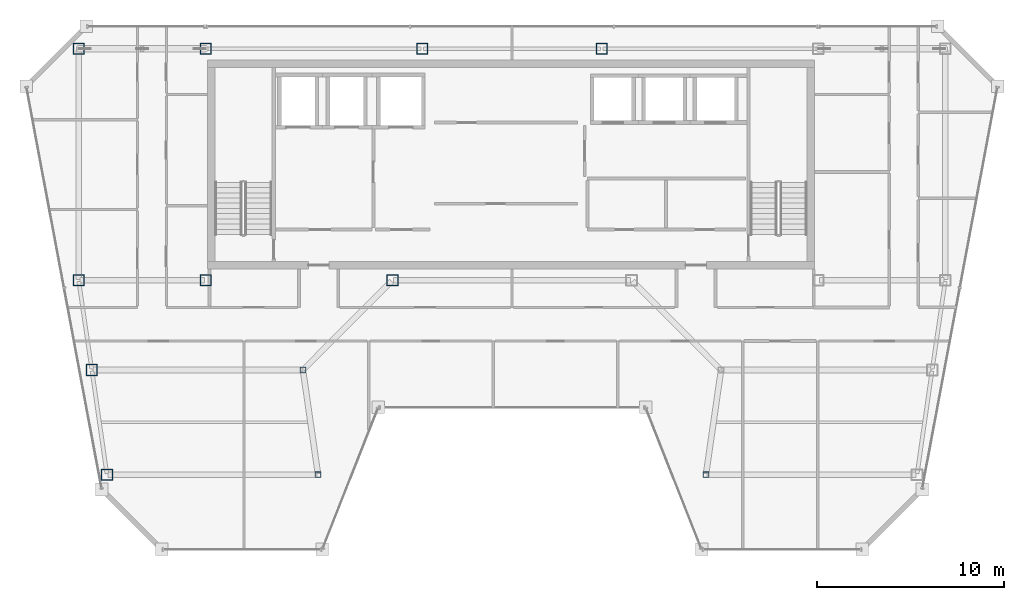
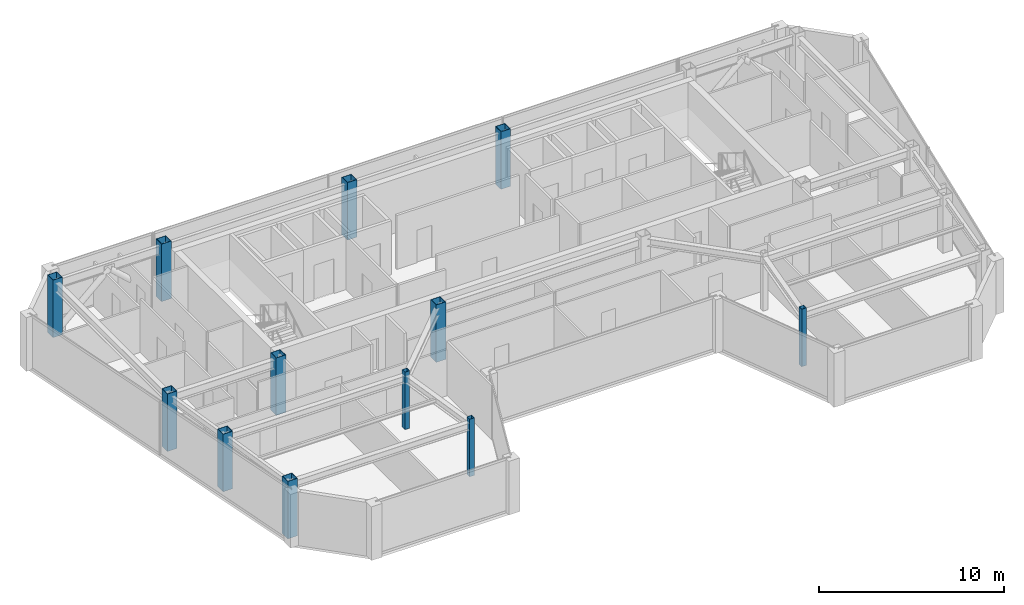
# One storey, part 1 of 23: 12 columns.
"""IFC4 building model written with IfcOpenShell, lengths in metres."""

from ifc_helpers import new_model, si_unit, direction, frame, origin, origin_2d, place, context, subcontext, project, spatial, hollow_rectangle, extrude, material, material_profile, profile_set, type_object, element, save


model = new_model("IFC4")

# Units and contexts
model_context = context("Model", 3, precision=1e-05, world=origin(), true_north=direction((0.0, 1.0)))
body_context = subcontext(model_context, "Body", "Model", "MODEL_VIEW")
ifc_project = project(units=[si_unit("LENGTHUNIT", "METRE"), si_unit("AREAUNIT", "SQUARE_METRE"), si_unit("VOLUMEUNIT", "CUBIC_METRE"), si_unit("PLANEANGLEUNIT", "RADIAN"), si_unit("MASSUNIT", "GRAM", prefix="KILO")], contexts=[model_context])

# Site, building, storey
site_placement = place(None, origin())
site = spatial("IfcSite", under=ifc_project, at=site_placement, CompositionType="ELEMENT")
building_placement = place(site_placement, origin())
building = spatial("IfcBuilding", under=site, at=building_placement, Name="Saevonmaru Cultural Tower", CompositionType="ELEMENT")
storey_placement = place(building_placement, frame((0.0, 0.0, 280.0)))
storey = spatial("IfcBuildingStorey", under=building, at=storey_placement, Name="L66", CompositionType="ELEMENT", Elevation=280.0)

# Columns
ifc_material = material(Name="Steel SM355", Category="steel")
ifc_material_profile_1 = material_profile(ifc_material, hollow_rectangle(XDim=0.60009765625, YDim=0.60009765625, WallThickness=0.028076171875, at=origin_2d()), Name="BOX-600x600x28")
ifc_profile_set_1 = profile_set([ifc_material_profile_1], Name="Steel SM355")
column_type_1 = type_object("IfcColumnType", Name="COL-BOX-600", PredefinedType="COLUMN", material=ifc_profile_set_1)
for number, where, z_axis, x_axis, name in (
    (1, (6.800048828125, 54.800048828125, 0.0), (0.0, 0.0, 1.0), (1.0, 0.0, 0.0), "L66 Column TC-N1N"),
    (2, (13.60009765625, 54.800048828125, 0.0), (0.0, 0.0, 1.0), (1.0, 0.0, 0.0), "L66 Column TC-N2N"),
    (3, (25.199951171875, 54.800048828125, 0.0), (0.0, 0.0, 1.0), (1.0, 0.0, 0.0), "L66 Column TC-N3N"),
    (4, (34.800048828125, 54.800048828125, 0.0), (0.0, 0.0, 1.0), (1.0, 0.0, 0.0), "L66 Column TC-N4N"),
    (5, (6.800048828125, 42.39990234375, 0.0), (0.0, 0.0, 1.0), (1.0, 0.0, 0.0), "L66 Column TC-S1C"),
    (6, (13.60009765625, 42.39990234375, 0.0), (0.0, 0.0, 1.0), (1.0, 0.0, 0.0), "L66 Column TC-S2C"),
    (7, (23.60009765625, 42.39990234375, 0.0), (0.0, 0.0, 1.0), (1.0, 0.0, 0.0), "L66 Column TC-S3C"),
    (8, (8.31689453125, 32.0, 0.0), (0.0, 0.0, 1.0), (1.0, 0.0, 0.0), "L66 Column TC-WO-Y320"),
    (9, (7.508056640625, 37.60009765625, 0.0), (0.0, 0.0, 1.0), (1.0, 0.0, 0.0), "L66 Column TC-WO-Y376"),
):
    element("IfcColumn", number, at=place(storey_placement, frame(where, z_axis=z_axis, x_axis=x_axis)), inside=storey, type_object=column_type_1, Name=name, PredefinedType="COLUMN", context=body_context, shape_type="SweptSolid", body=[
        extrude(hollow_rectangle(XDim=0.60009765625, YDim=0.60009765625, WallThickness=0.028076171875, at=origin_2d()), origin(), (0.0, 0.0, 1.0), 3.800048828125),
    ])
ifc_material_profile_2 = material_profile(ifc_material, hollow_rectangle(XDim=0.300048828125, YDim=0.300048828125, WallThickness=0.011962890625, at=origin_2d()), Name="SHS-300x300x12")
ifc_profile_set_2 = profile_set([ifc_material_profile_2], Name="Steel SM355")
column_type_2 = type_object("IfcColumnType", Name="COL-SHS-300", PredefinedType="COLUMN", material=ifc_profile_set_2)
for number, where, z_axis, x_axis, name in (
    (10, (19.616943359375, 32.0, 0.0), (0.0, 0.0, 1.0), (1.0, 0.0, 0.0), "L66 Column TC-WI-Y320"),
    (11, (40.383056640625, 32.0, 0.0), (0.0, 0.0, 1.0), (1.0, 0.0, 0.0), "L66 Column TC-EI-Y320"),
    (12, (18.80810546875, 37.60009765625, 0.0), (0.0, 0.0, 1.0), (1.0, 0.0, 0.0), "L66 Column TC-WI-Y376"),
):
    element("IfcColumn", number, at=place(storey_placement, frame(where, z_axis=z_axis, x_axis=x_axis)), inside=storey, type_object=column_type_2, Name=name, PredefinedType="COLUMN", context=body_context, shape_type="SweptSolid", body=[
        extrude(hollow_rectangle(XDim=0.300048828125, YDim=0.300048828125, WallThickness=0.011962890625, at=origin_2d()), origin(), (0.0, 0.0, 1.0), 3.800048828125),
    ])

save(model, "model.ifc")
